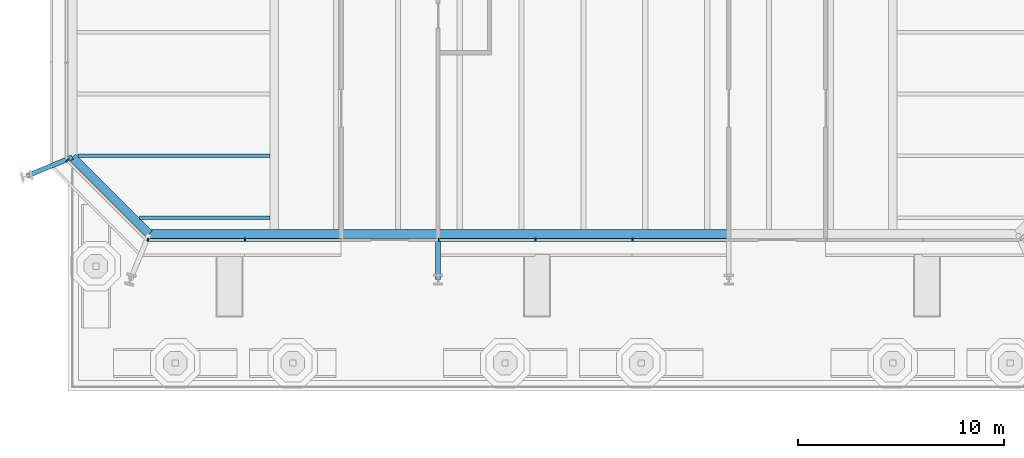
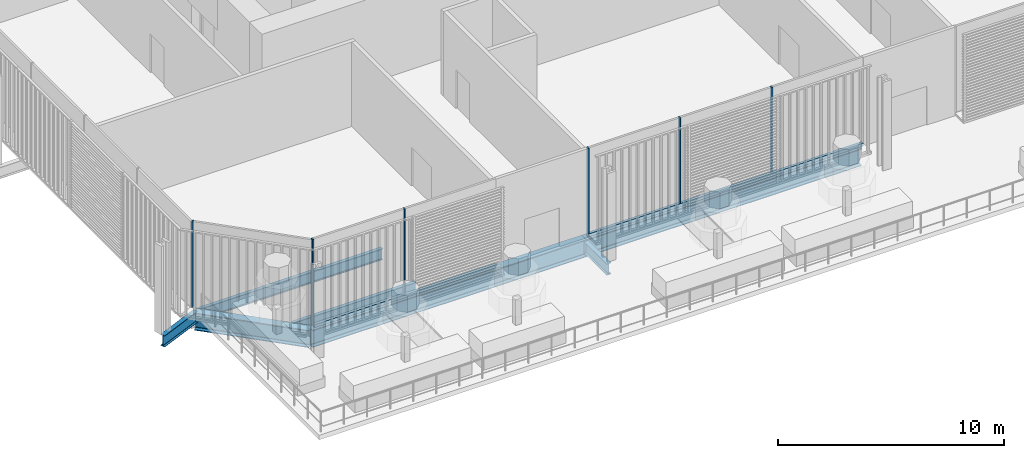
# One storey, part 2 of 21: 8 members, 7 beams, 2 elements without a shape of their own.
"""IFC4 building model written with IfcOpenShell, lengths in metres."""

from ifc_helpers import new_model, si_unit, direction, frame, origin, origin_2d, place, context, subcontext, project, spatial, rectangle, i_section, extrude, material, layer, layer_set, material_profile, profile_set, type_object, element, aggregate, save


model = new_model("IFC4")

# Units and contexts
model_context = context("Model", 3, precision=1e-05, world=origin(), true_north=direction((0.0, 1.0)))
body_context = subcontext(model_context, "Body", "Model", "MODEL_VIEW")
ifc_project = project(units=[si_unit("LENGTHUNIT", "METRE"), si_unit("AREAUNIT", "SQUARE_METRE"), si_unit("VOLUMEUNIT", "CUBIC_METRE"), si_unit("PLANEANGLEUNIT", "RADIAN"), si_unit("MASSUNIT", "GRAM", prefix="KILO")], contexts=[model_context])

# Site, building, storey
site_placement = place(None, origin())
site = spatial("IfcSite", under=ifc_project, at=site_placement, CompositionType="ELEMENT")
building_placement = place(site_placement, origin())
building = spatial("IfcBuilding", under=site, at=building_placement, Name="Millrace Tower", CompositionType="ELEMENT")
storey_placement = place(building_placement, frame((0.0, 0.0, 16.10009765625)))
storey = spatial("IfcBuildingStorey", under=building, at=storey_placement, Name="L04", CompositionType="ELEMENT", Elevation=16.10009765625)

# Curtain wall, member
ifc_material_1 = material(Name="Aluminium and glass", Category="aluminium")
ifc_layer = layer(ifc_material_1, 0.14990234375)
ifc_layer_set = layer_set([ifc_layer], Name="Aluminium and glass")
curtain_wall_type = type_object("IfcCurtainWallType", Name="CW-2 data hall insulated curtain wall", PredefinedType="NOTDEFINED", material=ifc_layer_set)
placement = place(storey_placement, origin())
curtain_wall_1 = element("IfcCurtainWall", 1, at=placement, inside=storey, type_object=curtain_wall_type, Name="Curtain wall A-F01 L04", PredefinedType="NOTDEFINED")
ifc_material_2 = material(Name="Aluminium", Category="aluminium")
ifc_material_profile_1 = material_profile(ifc_material_2, rectangle(XDim=0.06494140625, YDim=0.14990234375, at=origin_2d()))
ifc_profile_set_1 = profile_set([ifc_material_profile_1], Name="Aluminium")
member_type_1 = type_object("IfcMemberType", Name="CW-2 data hall insulated curtain wall mullion", PredefinedType="MULLION", material=ifc_profile_set_1)
member_1_placement = place(storey_placement, frame((-25.030029296875, -21.22607421875, 0.159912109375), z_axis=(0.0, 0.0, 1.0), x_axis=(0.707106781187, -0.707106781187, 0.0)))
member_1 = element("IfcMember", 2, at=member_1_placement, type_object=member_type_1, Name="CW2 mullion A-F01.1", PredefinedType="MULLION", context=body_context, shape_type="SweptSolid", body=[
    extrude(rectangle(XDim=0.06494140625, YDim=0.14990234375, at=origin_2d()), origin(), (0.0, 0.0, 1.0), 4.639892578125),
])
aggregate(curtain_wall_1, [member_1])

# Curtain wall, members
curtain_wall_2 = element("IfcCurtainWall", 3, at=placement, inside=storey, type_object=curtain_wall_type, Name="Curtain wall A-F02 L04", PredefinedType="NOTDEFINED")
member_2_placement = place(storey_placement, frame((-21.117431640625, -25.074951171875, 0.159912109375), z_axis=(0.0, 0.0, 1.0), x_axis=(1.0, 0.0, 0.0)))
member_2 = element("IfcMember", 4, at=member_2_placement, type_object=member_type_1, Name="CW2 mullion A-F02.1", PredefinedType="MULLION", context=body_context, shape_type="SweptSolid", body=[
    extrude(rectangle(XDim=0.06494140625, YDim=0.14990234375, at=origin_2d()), origin(), (0.0, 0.0, 1.0), 4.639892578125),
])
member_3_placement = place(storey_placement, frame((-16.41748046875, -25.074951171875, 0.159912109375), z_axis=(0.0, 0.0, 1.0), x_axis=(1.0, 0.0, 0.0)))
member_3 = element("IfcMember", 5, at=member_3_placement, type_object=member_type_1, Name="CW2 mullion A-F02.2", PredefinedType="MULLION", context=body_context, shape_type="SweptSolid", body=[
    extrude(rectangle(XDim=0.06494140625, YDim=0.14990234375, at=origin_2d()), origin(), (0.0, 0.0, 1.0), 4.639892578125),
])
member_4_placement = place(storey_placement, frame((-7.017578125, -25.074951171875, 0.159912109375), z_axis=(0.0, 0.0, 1.0), x_axis=(1.0, 0.0, 0.0)))
member_4 = element("IfcMember", 6, at=member_4_placement, type_object=member_type_1, Name="CW2 mullion A-F02.4", PredefinedType="MULLION", context=body_context, shape_type="SweptSolid", body=[
    extrude(rectangle(XDim=0.06494140625, YDim=0.14990234375, at=origin_2d()), origin(), (0.0, 0.0, 1.0), 4.639892578125),
])
member_5_placement = place(storey_placement, frame((-2.3173828125, -25.074951171875, 0.159912109375), z_axis=(0.0, 0.0, 1.0), x_axis=(1.0, 0.0, 0.0)))
member_5 = element("IfcMember", 7, at=member_5_placement, type_object=member_type_1, Name="CW2 mullion A-F02.5", PredefinedType="MULLION", context=body_context, shape_type="SweptSolid", body=[
    extrude(rectangle(XDim=0.06494140625, YDim=0.14990234375, at=origin_2d()), origin(), (0.0, 0.0, 1.0), 4.639892578125),
])
member_6_placement = place(storey_placement, frame((2.382568359375, -25.074951171875, 0.159912109375), z_axis=(0.0, 0.0, 1.0), x_axis=(1.0, 0.0, 0.0)))
member_6 = element("IfcMember", 8, at=member_6_placement, type_object=member_type_1, Name="CW2 mullion A-F02.6", PredefinedType="MULLION", context=body_context, shape_type="SweptSolid", body=[
    extrude(rectangle(XDim=0.06494140625, YDim=0.14990234375, at=origin_2d()), origin(), (0.0, 0.0, 1.0), 4.639892578125),
])
ifc_material_3 = material(Name="Aluminium", Category="aluminium")
ifc_material_profile_2 = material_profile(ifc_material_3, rectangle(XDim=0.14990234375, YDim=0.159912109375, at=origin_2d()))
ifc_profile_set_2 = profile_set([ifc_material_profile_2], Name="Aluminium")
member_type_2 = type_object("IfcMemberType", Name="CW-2 data hall insulated curtain wall transom", PredefinedType="USERDEFINED", material=ifc_profile_set_2)
member_7_placement = place(storey_placement, frame((-21.050048828125, -25.074951171875, 0.079833984375), z_axis=(1.0, 0.0, 0.0), x_axis=(0.0, 1.0, 0.0)))
member_7 = element("IfcMember", 9, at=member_7_placement, type_object=member_type_2, Name="CW2 transom A-F02.1", ObjectType="TRANSOM", PredefinedType="USERDEFINED", context=body_context, shape_type="SweptSolid", body=[
    extrude(rectangle(XDim=0.14990234375, YDim=0.159912109375, at=origin_2d()), origin(), (0.0, 0.0, 1.0), 9.300048828125),
])
member_8_placement = place(storey_placement, frame((-7.050048828125, -25.074951171875, 0.079833984375), z_axis=(1.0, 0.0, 0.0), x_axis=(0.0, 1.0, 0.0)))
member_8 = element("IfcMember", 10, at=member_8_placement, type_object=member_type_2, Name="CW2 transom A-F02.2", ObjectType="TRANSOM", PredefinedType="USERDEFINED", context=body_context, shape_type="SweptSolid", body=[
    extrude(rectangle(XDim=0.14990234375, YDim=0.159912109375, at=origin_2d()), origin(), (0.0, 0.0, 1.0), 14.10009765625),
])
aggregate(curtain_wall_2, [member_2, member_3, member_4, member_5, member_6, member_7, member_8])

# Beams
ifc_material_4 = material(Name="Steel ASTM A992 Grade 50", Category="steel")
ifc_material_profile_3 = material_profile(ifc_material_4, i_section(OverallWidth=0.177978515625, OverallDepth=0.599365234375, WebThickness=0.010009765625, FlangeThickness=0.012939453125, FilletRadius=0.012939453125, at=origin_2d()))
ifc_profile_set_3 = profile_set([ifc_material_profile_3], Name="Steel ASTM A992 Grade 50")
beam_type_1 = type_object("IfcBeamType", Name="Floor beam W24x55", PredefinedType="JOIST", material=ifc_profile_set_3)
beam_1_placement = place(storey_placement, frame((-21.52978515625, -24.0, -0.52490234375), z_axis=(1.0, 0.0, 0.0), x_axis=(0.0, 1.0, 0.0)))
element("IfcBeam", 11, at=beam_1_placement, inside=storey, type_object=beam_type_1, Name="BM-A-L04-S1-S001", PredefinedType="JOIST", context=body_context, shape_type="SweptSolid", body=[
    extrude(i_section(OverallWidth=0.177978515625, OverallDepth=0.599365234375, WebThickness=0.010009765625, FlangeThickness=0.012939453125, FilletRadius=0.012939453125, at=origin_2d()), origin(), (0.0, 0.0, 1.0), 6.317626953125),
])
ifc_material_5 = material(Name="Steel ASTM A992 Grade 50", Category="steel")
ifc_material_profile_4 = material_profile(ifc_material_5, i_section(OverallWidth=0.1787109375, OverallDepth=0.60205078125, WebThickness=0.010986328125, FlangeThickness=0.014892578125, FilletRadius=0.0126953125, at=origin_2d()))
ifc_profile_set_4 = profile_set([ifc_material_profile_4], Name="Steel ASTM A992 Grade 50")
beam_type_2 = type_object("IfcBeamType", Name="Floor beam W24x62", PredefinedType="JOIST", material=ifc_profile_set_4)
beam_2_placement = place(storey_placement, frame((-24.52978515625, -21.0, -0.526123046875), z_axis=(1.0, 0.0, 0.0), x_axis=(0.0, 1.0, 0.0)))
element("IfcBeam", 12, at=beam_2_placement, inside=storey, type_object=beam_type_2, Name="BM-A-L04-S1-S003", PredefinedType="JOIST", context=body_context, shape_type="SweptSolid", body=[
    extrude(i_section(OverallWidth=0.1787109375, OverallDepth=0.60205078125, WebThickness=0.010986328125, FlangeThickness=0.014892578125, FilletRadius=0.0126953125, at=origin_2d()), origin(), (0.0, 0.0, 1.0), 9.317626953125),
])
ifc_material_6 = material(Name="Steel ASTM A992 Grade 50", Category="steel")
ifc_material_profile_5 = material_profile(ifc_material_6, i_section(OverallWidth=0.23046875, OverallDepth=0.6171875, WebThickness=0.01318359375, FlangeThickness=0.022216796875, FilletRadius=0.012939453125, at=origin_2d()))
ifc_profile_set_5 = profile_set([ifc_material_profile_5], Name="Steel ASTM A992 Grade 50")
beam_type_3 = type_object("IfcBeamType", Name="Link beam W24x94", PredefinedType="BEAM", material=ifc_profile_set_5)
beam_3_placement = place(storey_placement, frame((-24.7890625, -21.062744140625, -0.53369140625), z_axis=(-0.923883789366, -0.382673155247, 0.0), x_axis=(0.382673155247, -0.923883789366, 0.0)))
element("IfcBeam", 13, at=beam_3_placement, inside=storey, type_object=beam_type_3, Name="LNK-A-L04-S1-01", PredefinedType="BEAM", context=body_context, shape_type="SweptSolid", body=[
    extrude(i_section(OverallWidth=0.23046875, OverallDepth=0.6171875, WebThickness=0.01318359375, FlangeThickness=0.022216796875, FilletRadius=0.012939453125, at=origin_2d()), origin(), (0.0, 0.0, 1.0), 2.39306640625),
])
beam_4_placement = place(storey_placement, frame((-7.050048828125, -25.0, -0.5986328125), z_axis=(0.0, -1.0, 0.0), x_axis=(1.0, 0.0, 0.0)))
element("IfcBeam", 14, at=beam_4_placement, inside=storey, type_object=beam_type_3, Name="LNK-A-L04-S1-15", PredefinedType="BEAM", context=body_context, shape_type="SweptSolid", body=[
    extrude(i_section(OverallWidth=0.23046875, OverallDepth=0.6171875, WebThickness=0.01318359375, FlangeThickness=0.022216796875, FilletRadius=0.012939453125, at=origin_2d()), origin(), (0.0, 0.0, 1.0), 2.0),
])
ifc_material_7 = material(Name="Steel ASTM A992 Grade 50", Category="steel")
ifc_material_profile_6 = material_profile(ifc_material_7, i_section(OverallWidth=0.421630859375, OverallDepth=0.937255859375, WebThickness=0.021240234375, FlangeThickness=0.03662109375, FilletRadius=0.024169921875, at=origin_2d()))
ifc_profile_set_6 = profile_set([ifc_material_profile_6], Name="Steel ASTM A992 Grade 50")
beam_type_4 = type_object("IfcBeamType", Name="Ring beam medium span W36x262", PredefinedType="SPANDREL", material=ifc_profile_set_6)
beam_5_placement = place(storey_placement, frame((7.050048828125, -24.7890625, -0.69384765625), z_axis=(-1.0, 0.0, 0.0), x_axis=(0.0, -1.0, 0.0)))
element("IfcBeam", 15, at=beam_5_placement, inside=storey, type_object=beam_type_4, Name="RNG-A-L04-S1-14", PredefinedType="SPANDREL", context=body_context, shape_type="SweptSolid", body=[
    extrude(i_section(OverallWidth=0.421630859375, OverallDepth=0.937255859375, WebThickness=0.021240234375, FlangeThickness=0.03662109375, FilletRadius=0.024169921875, at=origin_2d()), origin(), (0.0, 0.0, 1.0), 14.10009765625),
])
beam_6_placement = place(storey_placement, frame((-7.050048828125, -24.7890625, -0.69384765625), z_axis=(-1.0, 0.0, 0.0), x_axis=(0.0, -1.0, 0.0)))
element("IfcBeam", 16, at=beam_6_placement, inside=storey, type_object=beam_type_4, Name="RNG-A-L04-S1-15", PredefinedType="SPANDREL", context=body_context, shape_type="SweptSolid", body=[
    extrude(i_section(OverallWidth=0.421630859375, OverallDepth=0.937255859375, WebThickness=0.021240234375, FlangeThickness=0.03662109375, FilletRadius=0.024169921875, at=origin_2d()), origin(), (0.0, 0.0, 1.0), 14.0126953125),
])
ifc_material_8 = material(Name="Steel ASTM A992 Grade 50", Category="steel")
ifc_material_profile_7 = material_profile(ifc_material_8, i_section(OverallWidth=0.421630859375, OverallDepth=0.937255859375, WebThickness=0.021240234375, FlangeThickness=0.03662109375, FilletRadius=0.024169921875, at=origin_2d()))
ifc_profile_set_7 = profile_set([ifc_material_profile_7], Name="Steel ASTM A992 Grade 50")
beam_type_5 = type_object("IfcBeamType", Name="Ring beam short span W36x262", PredefinedType="SPANDREL", material=ifc_profile_set_7)
beam_7_placement = place(storey_placement, frame((-21.062744140625, -24.7890625, -0.69384765625), z_axis=(-0.707106781187, 0.707106781187, 0.0), x_axis=(-0.707106781187, -0.707106781187, 0.0)))
element("IfcBeam", 17, at=beam_7_placement, inside=storey, type_object=beam_type_5, Name="RNG-A-L04-S1-16", PredefinedType="SPANDREL", context=body_context, shape_type="SweptSolid", body=[
    extrude(i_section(OverallWidth=0.421630859375, OverallDepth=0.937255859375, WebThickness=0.021240234375, FlangeThickness=0.03662109375, FilletRadius=0.024169921875, at=origin_2d()), origin(), (0.0, 0.0, 1.0), 5.269775390625),
])

save(model, "model.ifc")
